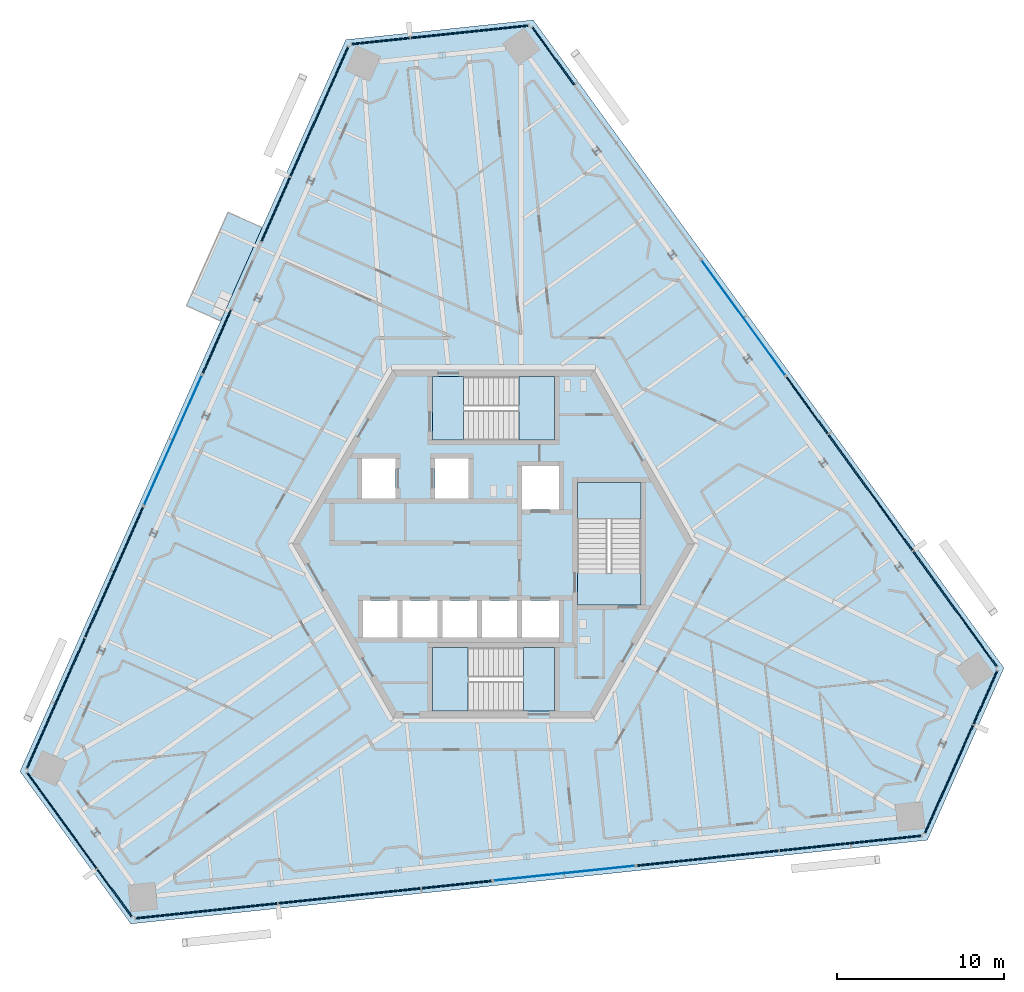
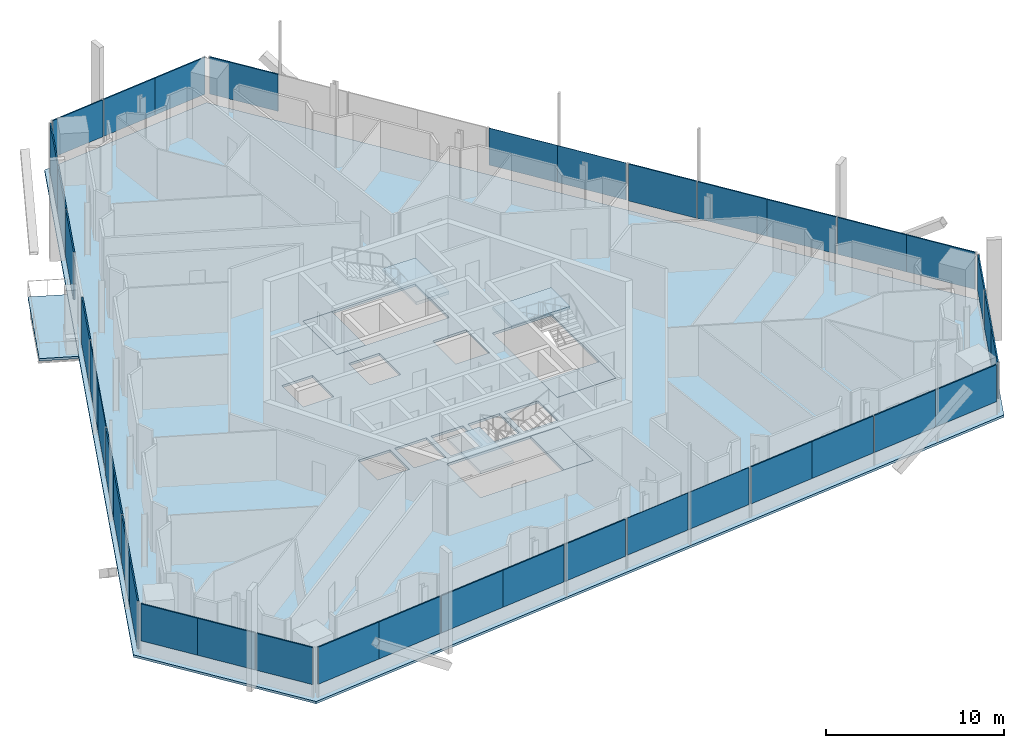
# One storey, part 9 of 21: 38 plates, 8 slabs, 16 elements without a shape of their own.
"""IFC4 building model written with IfcOpenShell, lengths in metres."""

from ifc_helpers import new_model, si_unit, direction, frame, origin, origin_2d, place, context, subcontext, project, spatial, polyline, rectangle, outline, extrude, source, transform, mapped, material, layer, layer_set, type_object, element, aggregate, save


model = new_model("IFC4")

# Units and contexts
model_context = context("Model", 3, precision=1e-05, world=origin(), true_north=direction((0.0, 1.0)))
body_context = subcontext(model_context, "Body", "Model", "MODEL_VIEW")
ifc_project = project(units=[si_unit("LENGTHUNIT", "METRE"), si_unit("AREAUNIT", "SQUARE_METRE"), si_unit("VOLUMEUNIT", "CUBIC_METRE"), si_unit("PLANEANGLEUNIT", "RADIAN"), si_unit("MASSUNIT", "GRAM", prefix="KILO")], contexts=[model_context])

# Site, building, storey
site_placement = place(None, origin())
site = spatial("IfcSite", under=ifc_project, at=site_placement, CompositionType="ELEMENT")
building_placement = place(site_placement, origin())
building = spatial("IfcBuilding", under=site, at=building_placement, Name="Triune Harvest Tower", CompositionType="ELEMENT")
storey_placement = place(building_placement, frame((0.0, 0.0, 248.5)))
storey = spatial("IfcBuildingStorey", under=building, at=storey_placement, Name="L65", CompositionType="ELEMENT", Elevation=248.5)

# Slabs
ifc_material_1 = material(Name="Concrete 40 MPa", Category="concrete")
ifc_layer_1 = layer(ifc_material_1, 0.159912109375)
ifc_layer_set_1 = layer_set([ifc_layer_1], Name="Concrete 40 MPa")
slab_type_1 = type_object("IfcSlabType", Name="BA-1 balcony slab 160", PredefinedType="FLOOR", material=ifc_layer_set_1)
slab_1_placement = place(storey_placement, frame((0.0, 0.0, -0.159912109375)))
element("IfcSlab", 1, at=slab_1_placement, inside=storey, type_object=slab_type_1, Name="Balcony slab B6-F3 L65.4", PredefinedType="FLOOR", context=body_context, shape_type="SweptSolid", body=[
    extrude(outline(polyline([(-13.816650390625, 18.88525390625), (-16.297607421875, 13.31298828125), (-18.3388671875, 14.2216796875), (-15.85791015625, 19.794189453125), (-13.816650390625, 18.88525390625)])), origin(), (0.0, 0.0, 1.0), 0.159912109375),
])
ifc_material_2 = material(Name="Concrete 40 MPa", Category="concrete")
ifc_layer_2 = layer(ifc_material_2, 0.159912109375)
ifc_layer_set_2 = layer_set([ifc_layer_2], Name="Concrete 40 MPa")
slab_type_2 = type_object("IfcSlabType", Name="SL-1 Composite floor slab 160", PredefinedType="FLOOR", material=ifc_layer_set_2)
shared_shape_1 = source(origin(), body_context, "Body", "SweptSolid", [
    extrude(outline(polyline([(30.481689453125, -7.412109375), (2.3701171875, 31.280517578125), (-8.82177734375, 30.10400390625), (-28.274658203125, -13.587646484375), (-21.659912109375, -22.69189453125), (25.904541015625, -17.692626953125), (30.481689453125, -7.412109375)]), holes=[polyline([(-5.72509765625, -5.590087890625), (-5.72509765625, -3.389892578125), (-7.800048828125, -3.389892578125), (-7.800048828125, -5.590087890625), (-5.72509765625, -5.590087890625)]), polyline([(-3.35009765625, -5.590087890625), (-3.35009765625, -3.389892578125), (-5.425048828125, -3.389892578125), (-5.425048828125, -5.590087890625), (-3.35009765625, -5.590087890625)]), polyline([(-0.97509765625, -5.590087890625), (-0.97509765625, -3.389892578125), (-3.050048828125, -3.389892578125), (-3.050048828125, -5.590087890625), (-0.97509765625, -5.590087890625)]), polyline([(1.39990234375, -5.590087890625), (1.39990234375, -3.389892578125), (-0.675048828125, -3.389892578125), (-0.675048828125, -5.590087890625), (1.39990234375, -5.590087890625)]), polyline([(3.89990234375, 2.06005859375), (3.89990234375, 4.659912109375), (1.699951171875, 4.659912109375), (1.699951171875, 2.06005859375), (3.89990234375, 2.06005859375)]), polyline([(3.89990234375, -5.590087890625), (3.89990234375, -3.389892578125), (1.699951171875, -3.389892578125), (1.699951171875, -5.590087890625), (3.89990234375, -5.590087890625)]), polyline([(-5.85009765625, 2.7099609375), (-5.85009765625, 5.110107421875), (-7.85009765625, 5.110107421875), (-7.85009765625, 2.7099609375), (-5.85009765625, 2.7099609375)]), polyline([(-1.5, 2.7099609375), (-1.5, 5.110107421875), (-3.5, 5.110107421875), (-3.5, 2.7099609375), (-1.5, 2.7099609375)]), polyline([(3.64990234375, 6.18994140625), (3.64990234375, 9.989990234375), (-3.64990234375, 9.989990234375), (-3.64990234375, 6.18994140625), (3.64990234375, 6.18994140625)]), polyline([(3.64990234375, -9.989990234375), (3.64990234375, -6.18994140625), (-3.64990234375, -6.18994140625), (-3.64990234375, -9.989990234375), (3.64990234375, -9.989990234375)]), polyline([(8.800048828125, -3.64990234375), (8.800048828125, 3.64990234375), (5.0, 3.64990234375), (5.0, -3.64990234375), (8.800048828125, -3.64990234375)])]), origin(), (0.0, 0.0, 1.0), 0.159912109375),
])
slab_2_placement = place(storey_placement, frame((0.0, 0.0, -0.159912109375)))
element("IfcSlab", 2, at=slab_2_placement, inside=storey, type_object=slab_type_2, Name="slab/L65/1", PredefinedType="FLOOR", context=body_context, shape_type="MappedRepresentation", body=[
    mapped(shared_shape_1, transform((0.0, 0.0, 0.0), scale=1.0)),
])

# Stair, slabs
ifc_material_3 = material(Name="Concrete 40 MPa", Category="concrete")
stair_type = type_object("IfcStairType", Name="Exit stair 1800 half turn", PredefinedType="HALF_TURN_STAIR", material=ifc_material_3)
stair_1_placement = place(storey_placement, origin())
stair_1 = element("IfcStair", 3, at=stair_1_placement, inside=storey, type_object=stair_type, Name="Exit stair north", PredefinedType="HALF_TURN_STAIR")
ifc_material_4 = material(Name="Concrete 40 MPa", Category="concrete")
ifc_layer_3 = layer(ifc_material_4, 0.199951171875)
ifc_layer_set_3 = layer_set([ifc_layer_3], Name="Concrete 40 MPa")
slab_type_3 = type_object("IfcSlabType", Name="Stair landing 200", PredefinedType="LANDING", material=ifc_layer_set_3)
shared_shape_2 = source(origin(), body_context, "Body", "SweptSolid", [
    extrude(outline(polyline([(1.510009765625, 6.18994140625), (3.64990234375, 6.18994140625), (3.64990234375, 9.989990234375), (1.510009765625, 9.989990234375), (1.510009765625, 6.18994140625)])), origin(), (0.0, 0.0, 1.0), 0.199951171875),
])
slab_3_placement = place(storey_placement, frame((0.0, 0.0, 1.60009765625)))
slab_3 = element("IfcSlab", 4, at=slab_3_placement, type_object=slab_type_3, Name="ST-1 landing 2", PredefinedType="LANDING", context=body_context, shape_type="MappedRepresentation", body=[
    mapped(shared_shape_2, transform((0.0, 0.0, 0.0), scale=1.0)),
])
shared_shape_3 = source(origin(), body_context, "Body", "SweptSolid", [
    extrude(outline(polyline([(-3.64990234375, 6.18994140625), (-1.780029296875, 6.18994140625), (-1.780029296875, 9.989990234375), (-3.64990234375, 9.989990234375), (-3.64990234375, 6.18994140625)])), origin(), (0.0, 0.0, 1.0), 0.199951171875),
])
slab_4_placement = place(storey_placement, frame((0.0, 0.0, -0.199951171875)))
slab_4 = element("IfcSlab", 5, at=slab_4_placement, type_object=slab_type_3, Name="ST-1 landing 1", PredefinedType="LANDING", context=body_context, shape_type="MappedRepresentation", body=[
    mapped(shared_shape_3, transform((0.0, 0.0, 0.0), scale=1.0)),
])
aggregate(stair_1, [slab_4, slab_3])

stair_2_placement = place(storey_placement, origin())
stair_2 = element("IfcStair", 6, at=stair_2_placement, inside=storey, type_object=stair_type, Name="Exit stair south", PredefinedType="HALF_TURN_STAIR")
shared_shape_4 = source(origin(), body_context, "Body", "SweptSolid", [
    extrude(outline(polyline([(-1.510009765625, -6.18994140625), (-3.64990234375, -6.18994140625), (-3.64990234375, -9.989990234375), (-1.510009765625, -9.989990234375), (-1.510009765625, -6.18994140625)])), origin(), (0.0, 0.0, 1.0), 0.199951171875),
])
slab_5_placement = place(storey_placement, frame((0.0, 0.0, 1.60009765625)))
slab_5 = element("IfcSlab", 7, at=slab_5_placement, type_object=slab_type_3, Name="ST-2 landing 2", PredefinedType="LANDING", context=body_context, shape_type="MappedRepresentation", body=[
    mapped(shared_shape_4, transform((0.0, 0.0, 0.0), scale=1.0)),
])
shared_shape_5 = source(origin(), body_context, "Body", "SweptSolid", [
    extrude(outline(polyline([(3.64990234375, -6.18994140625), (1.780029296875, -6.18994140625), (1.780029296875, -9.989990234375), (3.64990234375, -9.989990234375), (3.64990234375, -6.18994140625)])), origin(), (0.0, 0.0, 1.0), 0.199951171875),
])
slab_6_placement = place(storey_placement, frame((0.0, 0.0, -0.199951171875)))
slab_6 = element("IfcSlab", 8, at=slab_6_placement, type_object=slab_type_3, Name="ST-2 landing 1", PredefinedType="LANDING", context=body_context, shape_type="MappedRepresentation", body=[
    mapped(shared_shape_5, transform((0.0, 0.0, 0.0), scale=1.0)),
])
aggregate(stair_2, [slab_6, slab_5])

stair_3_placement = place(storey_placement, origin())
stair_3 = element("IfcStair", 9, at=stair_3_placement, inside=storey, type_object=stair_type, Name="Exit stair east", PredefinedType="HALF_TURN_STAIR")
shared_shape_6 = source(origin(), body_context, "Body", "SweptSolid", [
    extrude(outline(polyline([(8.800048828125, 1.510009765625), (8.800048828125, 3.64990234375), (5.0, 3.64990234375), (5.0, 1.510009765625), (8.800048828125, 1.510009765625)])), origin(), (0.0, 0.0, 1.0), 0.199951171875),
])
slab_7_placement = place(storey_placement, frame((0.0, 0.0, 1.60009765625)))
slab_7 = element("IfcSlab", 10, at=slab_7_placement, type_object=slab_type_3, Name="ST-3 landing 2", PredefinedType="LANDING", context=body_context, shape_type="MappedRepresentation", body=[
    mapped(shared_shape_6, transform((0.0, 0.0, 0.0), scale=1.0)),
])
shared_shape_7 = source(origin(), body_context, "Body", "SweptSolid", [
    extrude(outline(polyline([(8.800048828125, -3.64990234375), (8.800048828125, -1.780029296875), (5.0, -1.780029296875), (5.0, -3.64990234375), (8.800048828125, -3.64990234375)])), origin(), (0.0, 0.0, 1.0), 0.199951171875),
])
slab_8_placement = place(storey_placement, frame((0.0, 0.0, -0.199951171875)))
slab_8 = element("IfcSlab", 11, at=slab_8_placement, type_object=slab_type_3, Name="ST-3 landing 1", PredefinedType="LANDING", context=body_context, shape_type="MappedRepresentation", body=[
    mapped(shared_shape_7, transform((0.0, 0.0, 0.0), scale=1.0)),
])
aggregate(stair_3, [slab_8, slab_7])

# Curtain wall, plate
ifc_material_5 = material(Name="Aluminium bronze anodised", Category="aluminium")
curtain_wall_type_1 = type_object("IfcCurtainWallType", Name="CW-10 Balcony window wall with insulated spandrel infill", PredefinedType="NOTDEFINED", material=ifc_material_5)
curtain_wall_1_placement = place(storey_placement, origin())
curtain_wall_1 = element("IfcCurtainWall", 12, at=curtain_wall_1_placement, inside=storey, type_object=curtain_wall_type_1, Name="CW-10 B6-F3 L65 run 2")
ifc_material_6 = material(Name="Insulated spandrel panel, bronze aluminium pan", Category="aluminium")
ifc_layer_4 = layer(ifc_material_6, 0.080078125)
ifc_layer_set_4 = layer_set([ifc_layer_4], Name="Insulated spandrel panel, bronze aluminium pan")
plate_type_1 = type_object("IfcPlateType", Name="SP-1 insulated spandrel panel 80", PredefinedType="CURTAIN_PANEL", material=ifc_layer_set_4)
shared_shape_8 = source(origin(), body_context, "Body", "SweptSolid", [
    extrude(rectangle(XDim=4.153564453125, YDim=0.080078125, at=origin_2d()), origin(), (0.0, 0.0, 1.0), 3.2900390625),
])
plate_1_placement = place(storey_placement, frame((-16.515869140625, 12.085205078125, 0.14990234375), z_axis=(0.0, 0.0, 1.0), x_axis=(-0.406747145896, -0.913540781413, 0.0)))
plate_1 = element("IfcPlate", 13, at=plate_1_placement, type_object=plate_type_1, Name="CW-10 panel B6-F3 2.1", PredefinedType="CURTAIN_PANEL", context=body_context, shape_type="MappedRepresentation", body=[
    mapped(shared_shape_8, transform((0.0, 0.0, 0.0), scale=1.0)),
])
aggregate(curtain_wall_1, [plate_1])

# Curtain wall, plates
curtain_wall_2_placement = place(storey_placement, origin())
curtain_wall_2 = element("IfcCurtainWall", 14, at=curtain_wall_2_placement, inside=storey, type_object=curtain_wall_type_1, Name="CW-10 B6-F3 L65 run 1")
shared_shape_9 = source(origin(), body_context, "Body", "SweptSolid", [
    extrude(rectangle(XDim=4.21142578125, YDim=0.080078125, at=origin_2d()), origin(), (0.0, 0.0, 1.0), 3.2900390625),
])
plate_2_placement = place(storey_placement, frame((-9.541748046875, 27.74951171875, 0.14990234375), z_axis=(0.0, 0.0, 1.0), x_axis=(-0.406737912248, -0.91354489257, 0.0)))
plate_2 = element("IfcPlate", 15, at=plate_2_placement, type_object=plate_type_1, Name="CW-10 panel B6-F3 1.1", PredefinedType="CURTAIN_PANEL", context=body_context, shape_type="MappedRepresentation", body=[
    mapped(shared_shape_9, transform((0.0, 0.0, 0.0), scale=1.0)),
])
shared_shape_10 = source(origin(), body_context, "Body", "SweptSolid", [
    extrude(rectangle(XDim=4.248779296875, YDim=0.080078125, at=origin_2d()), origin(), (0.0, 0.0, 1.0), 3.2900390625),
])
plate_3_placement = place(storey_placement, frame((-11.26220703125, 23.885009765625, 0.14990234375), z_axis=(0.0, 0.0, 1.0), x_axis=(-0.406737912248, -0.91354489257, 0.0)))
plate_3 = element("IfcPlate", 16, at=plate_3_placement, type_object=plate_type_1, Name="CW-10 panel B6-F3 1.2", PredefinedType="CURTAIN_PANEL", context=body_context, shape_type="MappedRepresentation", body=[
    mapped(shared_shape_10, transform((0.0, 0.0, 0.0), scale=1.0)),
])
shared_shape_11 = source(origin(), body_context, "Body", "SweptSolid", [
    extrude(rectangle(XDim=4.173828125, YDim=0.080078125, at=origin_2d()), origin(), (0.0, 0.0, 1.0), 3.2900390625),
])
plate_4_placement = place(storey_placement, frame((-13.005615234375, 19.96923828125, 0.14990234375), z_axis=(0.0, 0.0, 1.0), x_axis=(-0.406737912248, -0.91354489257, 0.0)))
plate_4 = element("IfcPlate", 17, at=plate_4_placement, type_object=plate_type_1, Name="CW-10 panel B6-F3 1.3", PredefinedType="CURTAIN_PANEL", context=body_context, shape_type="MappedRepresentation", body=[
    mapped(shared_shape_11, transform((0.0, 0.0, 0.0), scale=1.0)),
])
aggregate(curtain_wall_2, [plate_2, plate_3, plate_4])

ifc_material_7 = material(Name="Aluminium bronze anodised", Category="aluminium")
curtain_wall_type_2 = type_object("IfcCurtainWallType", Name="CW-6 Balcony window wall", PredefinedType="NOTDEFINED", material=ifc_material_7)
curtain_wall_3_placement = place(storey_placement, origin())
curtain_wall_3 = element("IfcCurtainWall", 18, at=curtain_wall_3_placement, inside=storey, type_object=curtain_wall_type_2, Name="CW-6 B6-F3 L65 run 1002")
ifc_material_8 = material(Name="Glass", Category="glass")
ifc_layer_5 = layer(ifc_material_8, 0.030029296875)
ifc_layer_set_5 = layer_set([ifc_layer_5], Name="Glass")
plate_type_2 = type_object("IfcPlateType", Name="GL-6 panel 30", PredefinedType="CURTAIN_PANEL", material=ifc_layer_set_5)
shared_shape_12 = source(origin(), body_context, "Body", "SweptSolid", [
    extrude(rectangle(XDim=4.228515625, YDim=0.030029296875, at=origin_2d()), origin(), (0.0, 0.0, 1.0), 3.2900390625),
])
plate_5_placement = place(storey_placement, frame((-18.281494140625, 8.11962890625, 0.14990234375), z_axis=(0.0, 0.0, 1.0), x_axis=(-0.406737745581, -0.913544966775, 0.0)))
plate_5 = element("IfcPlate", 19, at=plate_5_placement, type_object=plate_type_2, Name="CW-6 panel B6-F3 1002.1", PredefinedType="CURTAIN_PANEL", context=body_context, shape_type="MappedRepresentation", body=[
    mapped(shared_shape_12, transform((0.0, 0.0, 0.0), scale=1.0)),
])
plate_6_placement = place(storey_placement, frame((-20.00146484375, 4.256591796875, 0.14990234375), z_axis=(0.0, 0.0, 1.0), x_axis=(-0.406737745581, -0.913544966775, 0.0)))
plate_6 = element("IfcPlate", 20, at=plate_6_placement, type_object=plate_type_2, Name="CW-6 panel B6-F3 1002.2", PredefinedType="CURTAIN_PANEL", context=body_context, shape_type="MappedRepresentation", body=[
    mapped(shared_shape_12, transform((0.0, 0.0, 0.0), scale=1.0)),
])
aggregate(curtain_wall_3, [plate_5, plate_6])

curtain_wall_4_placement = place(storey_placement, origin())
curtain_wall_4 = element("IfcCurtainWall", 21, at=curtain_wall_4_placement, inside=storey, type_object=curtain_wall_type_1, Name="CW-10 B6-F3 L65 run 2002")
shared_shape_13 = source(origin(), body_context, "Body", "SweptSolid", [
    extrude(rectangle(XDim=4.228515625, YDim=0.080078125, at=origin_2d()), origin(), (0.0, 0.0, 1.0), 3.2900390625),
])
plate_7_placement = place(storey_placement, frame((-21.782470703125, 0.256591796875, 0.14990234375), z_axis=(0.0, 0.0, 1.0), x_axis=(-0.406735687162, -0.913545883242, 0.0)))
plate_7 = element("IfcPlate", 22, at=plate_7_placement, type_object=plate_type_1, Name="CW-10 panel B6-F3 2002.1", PredefinedType="CURTAIN_PANEL", context=body_context, shape_type="MappedRepresentation", body=[
    mapped(shared_shape_13, transform((0.0, 0.0, 0.0), scale=1.0)),
])
plate_8_placement = place(storey_placement, frame((-27.0029296875, -11.46923828125, 0.14990234375), z_axis=(0.0, 0.0, 1.0), x_axis=(-0.406735687162, -0.913545883242, 0.0)))
plate_8 = element("IfcPlate", 23, at=plate_8_placement, type_object=plate_type_1, Name="CW-10 panel B6-F3 2002.4", PredefinedType="CURTAIN_PANEL", context=body_context, shape_type="MappedRepresentation", body=[
    mapped(shared_shape_13, transform((0.0, 0.0, 0.0), scale=1.0)),
])
shared_shape_14 = source(origin(), body_context, "Body", "SweptSolid", [
    extrude(rectangle(XDim=4.26611328125, YDim=0.080078125, at=origin_2d()), origin(), (0.0, 0.0, 1.0), 3.2900390625),
])
plate_9_placement = place(storey_placement, frame((-23.509765625, -3.62353515625, 0.14990234375), z_axis=(0.0, 0.0, 1.0), x_axis=(-0.406735687162, -0.913545883242, 0.0)))
plate_9 = element("IfcPlate", 24, at=plate_9_placement, type_object=plate_type_1, Name="CW-10 panel B6-F3 2002.2", PredefinedType="CURTAIN_PANEL", context=body_context, shape_type="MappedRepresentation", body=[
    mapped(shared_shape_14, transform((0.0, 0.0, 0.0), scale=1.0)),
])
plate_10_placement = place(storey_placement, frame((-25.275634765625, -7.589111328125, 0.14990234375), z_axis=(0.0, 0.0, 1.0), x_axis=(-0.406735687162, -0.913545883242, 0.0)))
plate_10 = element("IfcPlate", 25, at=plate_10_placement, type_object=plate_type_1, Name="CW-10 panel B6-F3 2002.3", PredefinedType="CURTAIN_PANEL", context=body_context, shape_type="MappedRepresentation", body=[
    mapped(shared_shape_14, transform((0.0, 0.0, 0.0), scale=1.0)),
])
aggregate(curtain_wall_4, [plate_7, plate_9, plate_10, plate_8])

# Curtain wall, plate
ifc_material_9 = material(Name="Aluminium bronze anodised", Category="aluminium")
curtain_wall_type_3 = type_object("IfcCurtainWallType", Name="CW-7 Tower stick curtain wall with insulated spandrel infill", PredefinedType="NOTDEFINED", material=ifc_material_9)
curtain_wall_5_placement = place(storey_placement, origin())
curtain_wall_5 = element("IfcCurtainWall", 26, at=curtain_wall_5_placement, inside=storey, type_object=curtain_wall_type_3, Name="CW-7 B6-F1 L65 run 1")
shared_shape_15 = source(origin(), body_context, "Body", "SweptSolid", [
    extrude(rectangle(XDim=4.22509765625, YDim=0.080078125, at=origin_2d()), origin(), (0.0, 0.0, 1.0), 2.5400390625),
])
plate_11_placement = place(storey_placement, frame((28.798583984375, -5.60595703125, 0.89990234375), z_axis=(0.0, 0.0, 1.0), x_axis=(-0.587786071606, 0.809016399108, 0.0)))
plate_11 = element("IfcPlate", 27, at=plate_11_placement, type_object=plate_type_1, Name="CW-7 panel B6-F1 1.1", PredefinedType="CURTAIN_PANEL", context=body_context, shape_type="MappedRepresentation", body=[
    mapped(shared_shape_15, transform((0.0, 0.0, 0.0), scale=1.0)),
])

curtain_wall_6_placement = place(storey_placement, origin())
curtain_wall_6 = element("IfcCurtainWall", 28, at=curtain_wall_6_placement, inside=storey, type_object=curtain_wall_type_3, Name="CW-7 B6-F1 L65 run 2001")
plate_12_placement = place(storey_placement, frame((3.56787109375, 29.121337890625, 0.89990234375), z_axis=(0.0, 0.0, 1.0), x_axis=(-0.587786129808, 0.809016356822, 0.0)))
plate_12 = element("IfcPlate", 29, at=plate_12_placement, type_object=plate_type_1, Name="CW-7 panel B6-F1 2001.4", PredefinedType="CURTAIN_PANEL", context=body_context, shape_type="MappedRepresentation", body=[
    mapped(shared_shape_15, transform((0.0, 0.0, 0.0), scale=1.0)),
])
aggregate(curtain_wall_6, [plate_12])

curtain_wall_7_placement = place(storey_placement, origin())
curtain_wall_7 = element("IfcCurtainWall", 30, at=curtain_wall_7_placement, inside=storey, type_object=curtain_wall_type_3, Name="CW-7 B6-F5 L65 run 1")
plate_13_placement = place(storey_placement, frame((-19.254150390625, -22.137451171875, 0.89990234375), z_axis=(0.0, 0.0, 1.0), x_axis=(0.994521785353, 0.104529509988, 0.0)))
plate_13 = element("IfcPlate", 31, at=plate_13_placement, type_object=plate_type_1, Name="CW-7 panel B6-F5 1.1", PredefinedType="CURTAIN_PANEL", context=body_context, shape_type="MappedRepresentation", body=[
    mapped(shared_shape_15, transform((0.0, 0.0, 0.0), scale=1.0)),
])

# Curtain wall, plates
curtain_wall_8_placement = place(storey_placement, origin())
curtain_wall_8 = element("IfcCurtainWall", 32, at=curtain_wall_8_placement, inside=storey, type_object=curtain_wall_type_3, Name="CW-7 B6-F5 L65 run 2001")
plate_14_placement = place(storey_placement, frame((10.68115234375, -18.990966796875, 0.89990234375), z_axis=(0.0, 0.0, 1.0), x_axis=(0.994521952755, 0.104527917264, 0.0)))
plate_14 = element("IfcPlate", 33, at=plate_14_placement, type_object=plate_type_1, Name="CW-7 panel B6-F5 2001.1", PredefinedType="CURTAIN_PANEL", context=body_context, shape_type="MappedRepresentation", body=[
    mapped(shared_shape_15, transform((0.0, 0.0, 0.0), scale=1.0)),
])
plate_15_placement = place(storey_placement, frame((23.43603515625, -17.650390625, 0.89990234375), z_axis=(0.0, 0.0, 1.0), x_axis=(0.994521952755, 0.104527917264, 0.0)))
plate_15 = element("IfcPlate", 34, at=plate_15_placement, type_object=plate_type_1, Name="CW-7 panel B6-F5 2001.4", PredefinedType="CURTAIN_PANEL", context=body_context, shape_type="MappedRepresentation", body=[
    mapped(shared_shape_15, transform((0.0, 0.0, 0.0), scale=1.0)),
])

# Plate
shared_shape_16 = source(origin(), body_context, "Body", "SweptSolid", [
    extrude(rectangle(XDim=4.262451171875, YDim=0.080078125, at=origin_2d()), origin(), (0.0, 0.0, 1.0), 2.5400390625),
])
plate_16_placement = place(storey_placement, frame((26.30419921875, -2.172607421875, 0.89990234375), z_axis=(0.0, 0.0, 1.0), x_axis=(-0.587786071606, 0.809016399108, 0.0)))
plate_16 = element("IfcPlate", 35, at=plate_16_placement, type_object=plate_type_1, Name="CW-7 panel B6-F1 1.2", PredefinedType="CURTAIN_PANEL", context=body_context, shape_type="MappedRepresentation", body=[
    mapped(shared_shape_16, transform((0.0, 0.0, 0.0), scale=1.0)),
])

plate_17_placement = place(storey_placement, frame((23.754638671875, 1.336669921875, 0.89990234375), z_axis=(0.0, 0.0, 1.0), x_axis=(-0.587786071606, 0.809016399108, 0.0)))
plate_17 = element("IfcPlate", 36, at=plate_17_placement, type_object=plate_type_1, Name="CW-7 panel B6-F1 1.3", PredefinedType="CURTAIN_PANEL", context=body_context, shape_type="MappedRepresentation", body=[
    mapped(shared_shape_16, transform((0.0, 0.0, 0.0), scale=1.0)),
])

plate_18_placement = place(storey_placement, frame((21.249267578125, 4.78515625, 0.89990234375), z_axis=(0.0, 0.0, 1.0), x_axis=(-0.587786071606, 0.809016399108, 0.0)))
plate_18 = element("IfcPlate", 37, at=plate_18_placement, type_object=plate_type_1, Name="CW-7 panel B6-F1 1.4", PredefinedType="CURTAIN_PANEL", context=body_context, shape_type="MappedRepresentation", body=[
    mapped(shared_shape_16, transform((0.0, 0.0, 0.0), scale=1.0)),
])

plate_19_placement = place(storey_placement, frame((-15.033447265625, -21.69384765625, 0.89990234375), z_axis=(0.0, 0.0, 1.0), x_axis=(0.994521785353, 0.104529509988, 0.0)))
plate_19 = element("IfcPlate", 38, at=plate_19_placement, type_object=plate_type_1, Name="CW-7 panel B6-F5 1.2", PredefinedType="CURTAIN_PANEL", context=body_context, shape_type="MappedRepresentation", body=[
    mapped(shared_shape_16, transform((0.0, 0.0, 0.0), scale=1.0)),
])

plate_20_placement = place(storey_placement, frame((-10.7197265625, -21.240234375, 0.89990234375), z_axis=(0.0, 0.0, 1.0), x_axis=(0.994521785353, 0.104529509988, 0.0)))
plate_20 = element("IfcPlate", 39, at=plate_20_placement, type_object=plate_type_1, Name="CW-7 panel B6-F5 1.3", PredefinedType="CURTAIN_PANEL", context=body_context, shape_type="MappedRepresentation", body=[
    mapped(shared_shape_16, transform((0.0, 0.0, 0.0), scale=1.0)),
])

plate_21_placement = place(storey_placement, frame((-6.480712890625, -20.794677734375, 0.89990234375), z_axis=(0.0, 0.0, 1.0), x_axis=(0.994521785353, 0.104529509988, 0.0)))
plate_21 = element("IfcPlate", 40, at=plate_21_placement, type_object=plate_type_1, Name="CW-7 panel B6-F5 1.4", PredefinedType="CURTAIN_PANEL", context=body_context, shape_type="MappedRepresentation", body=[
    mapped(shared_shape_16, transform((0.0, 0.0, 0.0), scale=1.0)),
])

plate_22_placement = place(storey_placement, frame((14.901611328125, -18.54736328125, 0.89990234375), z_axis=(0.0, 0.0, 1.0), x_axis=(0.994521952755, 0.104527917264, 0.0)))
plate_22 = element("IfcPlate", 41, at=plate_22_placement, type_object=plate_type_1, Name="CW-7 panel B6-F5 2001.2", PredefinedType="CURTAIN_PANEL", context=body_context, shape_type="MappedRepresentation", body=[
    mapped(shared_shape_16, transform((0.0, 0.0, 0.0), scale=1.0)),
])

plate_23_placement = place(storey_placement, frame((19.21533203125, -18.093994140625, 0.89990234375), z_axis=(0.0, 0.0, 1.0), x_axis=(0.994521952755, 0.104527917264, 0.0)))
plate_23 = element("IfcPlate", 42, at=plate_23_placement, type_object=plate_type_1, Name="CW-7 panel B6-F5 2001.3", PredefinedType="CURTAIN_PANEL", context=body_context, shape_type="MappedRepresentation", body=[
    mapped(shared_shape_16, transform((0.0, 0.0, 0.0), scale=1.0)),
])

aggregate(curtain_wall_8, [plate_14, plate_22, plate_23, plate_15])

# Curtain wall, plates
ifc_material_10 = material(Name="Aluminium bronze anodised", Category="aluminium")
curtain_wall_type_4 = type_object("IfcCurtainWallType", Name="CW-1 Tower stick curtain wall", PredefinedType="NOTDEFINED", material=ifc_material_10)
curtain_wall_9_placement = place(storey_placement, origin())
curtain_wall_9 = element("IfcCurtainWall", 43, at=curtain_wall_9_placement, inside=storey, type_object=curtain_wall_type_4, Name="CW-1 B6-F5 L65 run 1001")
ifc_material_11 = material(Name="Glass", Category="glass")
ifc_layer_6 = layer(ifc_material_11, 0.031982421875)
ifc_layer_set_6 = layer_set([ifc_layer_6], Name="Glass")
plate_type_3 = type_object("IfcPlateType", Name="GL-1 panel 32", PredefinedType="CURTAIN_PANEL", material=ifc_layer_set_6)
shared_shape_17 = source(origin(), body_context, "Body", "SweptSolid", [
    extrude(rectangle(XDim=4.22509765625, YDim=0.031982421875, at=origin_2d()), origin(), (0.0, 0.0, 1.0), 2.5400390625),
])
plate_24_placement = place(storey_placement, frame((2.128173828125, -19.889892578125, 0.89990234375), z_axis=(0.0, 0.0, 1.0), x_axis=(0.994521242771, 0.104534672126, 0.0)))
plate_24 = element("IfcPlate", 44, at=plate_24_placement, type_object=plate_type_3, Name="CW-1 panel B6-F5 1001.1", PredefinedType="CURTAIN_PANEL", context=body_context, shape_type="MappedRepresentation", body=[
    mapped(shared_shape_17, transform((0.0, 0.0, 0.0), scale=1.0)),
])
plate_25_placement = place(storey_placement, frame((6.330078125, -19.4482421875, 0.89990234375), z_axis=(0.0, 0.0, 1.0), x_axis=(0.994521242771, 0.104534672126, 0.0)))
plate_25 = element("IfcPlate", 45, at=plate_25_placement, type_object=plate_type_3, Name="CW-1 panel B6-F5 1001.2", PredefinedType="CURTAIN_PANEL", context=body_context, shape_type="MappedRepresentation", body=[
    mapped(shared_shape_17, transform((0.0, 0.0, 0.0), scale=1.0)),
])
aggregate(curtain_wall_9, [plate_24, plate_25])

# Plate
shared_shape_18 = source(origin(), body_context, "Body", "SweptSolid", [
    extrude(rectangle(XDim=4.1875, YDim=0.080078125, at=origin_2d()), origin(), (0.0, 0.0, 1.0), 2.5400390625),
])
plate_26_placement = place(storey_placement, frame((18.7216796875, 8.263916015625, 0.89990234375), z_axis=(0.0, 0.0, 1.0), x_axis=(-0.587786071606, 0.809016399108, 0.0)))
plate_26 = element("IfcPlate", 46, at=plate_26_placement, type_object=plate_type_1, Name="CW-7 panel B6-F1 1.5", PredefinedType="CURTAIN_PANEL", context=body_context, shape_type="MappedRepresentation", body=[
    mapped(shared_shape_18, transform((0.0, 0.0, 0.0), scale=1.0)),
])

aggregate(curtain_wall_5, [plate_11, plate_16, plate_17, plate_18, plate_26])

plate_27_placement = place(storey_placement, frame((-2.2041015625, -20.34521484375, 0.89990234375), z_axis=(0.0, 0.0, 1.0), x_axis=(0.994521785353, 0.104529509988, 0.0)))
plate_27 = element("IfcPlate", 47, at=plate_27_placement, type_object=plate_type_1, Name="CW-7 panel B6-F5 1.5", PredefinedType="CURTAIN_PANEL", context=body_context, shape_type="MappedRepresentation", body=[
    mapped(shared_shape_18, transform((0.0, 0.0, 0.0), scale=1.0)),
])

aggregate(curtain_wall_7, [plate_13, plate_19, plate_20, plate_21, plate_27])

# Curtain wall, plates
curtain_wall_10_placement = place(storey_placement, origin())
curtain_wall_10 = element("IfcCurtainWall", 48, at=curtain_wall_10_placement, inside=storey, type_object=curtain_wall_type_4, Name="CW-1 B6-F1 L65 run 1001")
shared_shape_19 = source(origin(), body_context, "Body", "SweptSolid", [
    extrude(rectangle(XDim=4.224853515625, YDim=0.031982421875, at=origin_2d()), origin(), (0.0, 0.0, 1.0), 2.5400390625),
])
plate_28_placement = place(storey_placement, frame((16.1611328125, 11.7880859375, 0.89990234375), z_axis=(0.0, 0.0, 1.0), x_axis=(-0.587783757674, 0.809018080277, 0.0)))
plate_28 = element("IfcPlate", 49, at=plate_28_placement, type_object=plate_type_3, Name="CW-1 panel B6-F1 1001.1", PredefinedType="CURTAIN_PANEL", context=body_context, shape_type="MappedRepresentation", body=[
    mapped(shared_shape_19, transform((0.0, 0.0, 0.0), scale=1.0)),
])
plate_29_placement = place(storey_placement, frame((13.677734375, 15.206298828125, 0.89990234375), z_axis=(0.0, 0.0, 1.0), x_axis=(-0.587783757674, 0.809018080277, 0.0)))
plate_29 = element("IfcPlate", 50, at=plate_29_placement, type_object=plate_type_3, Name="CW-1 panel B6-F1 1001.2", PredefinedType="CURTAIN_PANEL", context=body_context, shape_type="MappedRepresentation", body=[
    mapped(shared_shape_19, transform((0.0, 0.0, 0.0), scale=1.0)),
])
aggregate(curtain_wall_10, [plate_28, plate_29])

# Curtain wall, plate
curtain_wall_11_placement = place(storey_placement, origin())
curtain_wall_11 = element("IfcCurtainWall", 51, at=curtain_wall_11_placement, inside=storey, type_object=curtain_wall_type_3, Name="CW-7 B6-F2 L65 run 1")
shared_shape_20 = source(origin(), body_context, "Body", "SweptSolid", [
    extrude(rectangle(XDim=3.500732421875, YDim=0.080078125, at=origin_2d()), origin(), (0.0, 0.0, 1.0), 2.5400390625),
])
plate_30_placement = place(storey_placement, frame((0.32421875, 30.763671875, 0.89990234375), z_axis=(0.0, 0.0, 1.0), x_axis=(-0.994521768229, -0.104529672907, 0.0)))
plate_30 = element("IfcPlate", 52, at=plate_30_placement, type_object=plate_type_1, Name="CW-7 panel B6-F2 1.1", PredefinedType="CURTAIN_PANEL", context=body_context, shape_type="MappedRepresentation", body=[
    mapped(shared_shape_20, transform((0.0, 0.0, 0.0), scale=1.0)),
])

curtain_wall_12_placement = place(storey_placement, origin())
curtain_wall_12 = element("IfcCurtainWall", 53, at=curtain_wall_12_placement, inside=storey, type_object=curtain_wall_type_3, Name="CW-7 B6-F4 L65 run 1")
plate_31_placement = place(storey_placement, frame((-26.80419921875, -15.10107421875, 0.89990234375), z_axis=(0.0, 0.0, 1.0), x_axis=(0.587788936013, -0.809014317982, 0.0)))
plate_31 = element("IfcPlate", 54, at=plate_31_placement, type_object=plate_type_1, Name="CW-7 panel B6-F4 1.1", PredefinedType="CURTAIN_PANEL", context=body_context, shape_type="MappedRepresentation", body=[
    mapped(shared_shape_20, transform((0.0, 0.0, 0.0), scale=1.0)),
])

curtain_wall_13_placement = place(storey_placement, origin())
curtain_wall_13 = element("IfcCurtainWall", 55, at=curtain_wall_13_placement, inside=storey, type_object=curtain_wall_type_3, Name="CW-7 B6-F6 L65 run 1")
plate_32_placement = place(storey_placement, frame((26.47998046875, -15.66259765625, 0.89990234375), z_axis=(0.0, 0.0, 1.0), x_axis=(0.406743216086, 0.913542531121, 0.0)))
plate_32 = element("IfcPlate", 56, at=plate_32_placement, type_object=plate_type_1, Name="CW-7 panel B6-F6 1.1", PredefinedType="CURTAIN_PANEL", context=body_context, shape_type="MappedRepresentation", body=[
    mapped(shared_shape_20, transform((0.0, 0.0, 0.0), scale=1.0)),
])

# Plate
shared_shape_21 = source(origin(), body_context, "Body", "SweptSolid", [
    extrude(rectangle(XDim=3.5380859375, YDim=0.080078125, at=origin_2d()), origin(), (0.0, 0.0, 1.0), 2.5400390625),
])
plate_33_placement = place(storey_placement, frame((-3.17578125, 30.395751953125, 0.89990234375), z_axis=(0.0, 0.0, 1.0), x_axis=(-0.994521768229, -0.104529672907, 0.0)))
plate_33 = element("IfcPlate", 57, at=plate_33_placement, type_object=plate_type_1, Name="CW-7 panel B6-F2 1.2", PredefinedType="CURTAIN_PANEL", context=body_context, shape_type="MappedRepresentation", body=[
    mapped(shared_shape_21, transform((0.0, 0.0, 0.0), scale=1.0)),
])

plate_34_placement = place(storey_placement, frame((-24.735595703125, -17.9482421875, 0.89990234375), z_axis=(0.0, 0.0, 1.0), x_axis=(0.587788936013, -0.809014317982, 0.0)))
plate_34 = element("IfcPlate", 58, at=plate_34_placement, type_object=plate_type_1, Name="CW-7 panel B6-F4 1.2", PredefinedType="CURTAIN_PANEL", context=body_context, shape_type="MappedRepresentation", body=[
    mapped(shared_shape_21, transform((0.0, 0.0, 0.0), scale=1.0)),
])

plate_35_placement = place(storey_placement, frame((27.91162109375, -12.447509765625, 0.89990234375), z_axis=(0.0, 0.0, 1.0), x_axis=(0.406743216086, 0.913542531121, 0.0)))
plate_35 = element("IfcPlate", 59, at=plate_35_placement, type_object=plate_type_1, Name="CW-7 panel B6-F6 1.2", PredefinedType="CURTAIN_PANEL", context=body_context, shape_type="MappedRepresentation", body=[
    mapped(shared_shape_21, transform((0.0, 0.0, 0.0), scale=1.0)),
])

shared_shape_22 = source(origin(), body_context, "Body", "SweptSolid", [
    extrude(rectangle(XDim=3.463134765625, YDim=0.080078125, at=origin_2d()), origin(), (0.0, 0.0, 1.0), 2.5400390625),
])
plate_36_placement = place(storey_placement, frame((-6.73193359375, 30.02197265625, 0.89990234375), z_axis=(0.0, 0.0, 1.0), x_axis=(-0.994521768229, -0.104529672907, 0.0)))
plate_36 = element("IfcPlate", 60, at=plate_36_placement, type_object=plate_type_1, Name="CW-7 panel B6-F2 1.3", PredefinedType="CURTAIN_PANEL", context=body_context, shape_type="MappedRepresentation", body=[
    mapped(shared_shape_22, transform((0.0, 0.0, 0.0), scale=1.0)),
])

aggregate(curtain_wall_11, [plate_30, plate_33, plate_36])

plate_37_placement = place(storey_placement, frame((-22.6337890625, -20.841064453125, 0.89990234375), z_axis=(0.0, 0.0, 1.0), x_axis=(0.587788936013, -0.809014317982, 0.0)))
plate_37 = element("IfcPlate", 61, at=plate_37_placement, type_object=plate_type_1, Name="CW-7 panel B6-F4 1.3", PredefinedType="CURTAIN_PANEL", context=body_context, shape_type="MappedRepresentation", body=[
    mapped(shared_shape_22, transform((0.0, 0.0, 0.0), scale=1.0)),
])

aggregate(curtain_wall_12, [plate_31, plate_34, plate_37])

plate_38_placement = place(storey_placement, frame((29.365966796875, -9.180908203125, 0.89990234375), z_axis=(0.0, 0.0, 1.0), x_axis=(0.406743216086, 0.913542531121, 0.0)))
plate_38 = element("IfcPlate", 62, at=plate_38_placement, type_object=plate_type_1, Name="CW-7 panel B6-F6 1.3", PredefinedType="CURTAIN_PANEL", context=body_context, shape_type="MappedRepresentation", body=[
    mapped(shared_shape_22, transform((0.0, 0.0, 0.0), scale=1.0)),
])

aggregate(curtain_wall_13, [plate_32, plate_35, plate_38])

save(model, "model.ifc")
